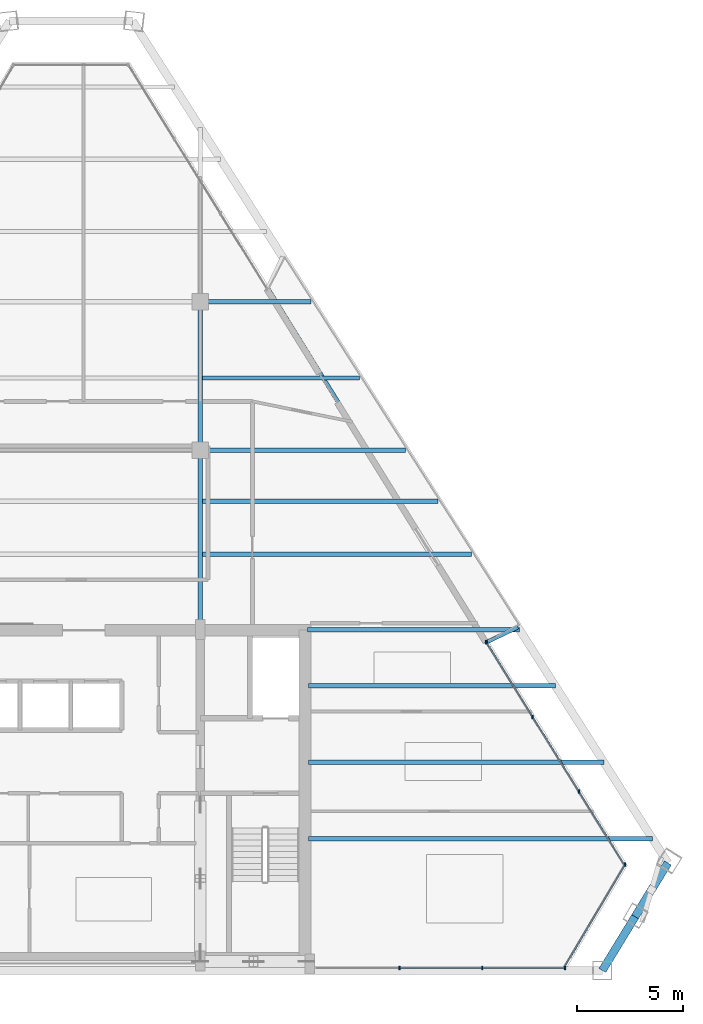
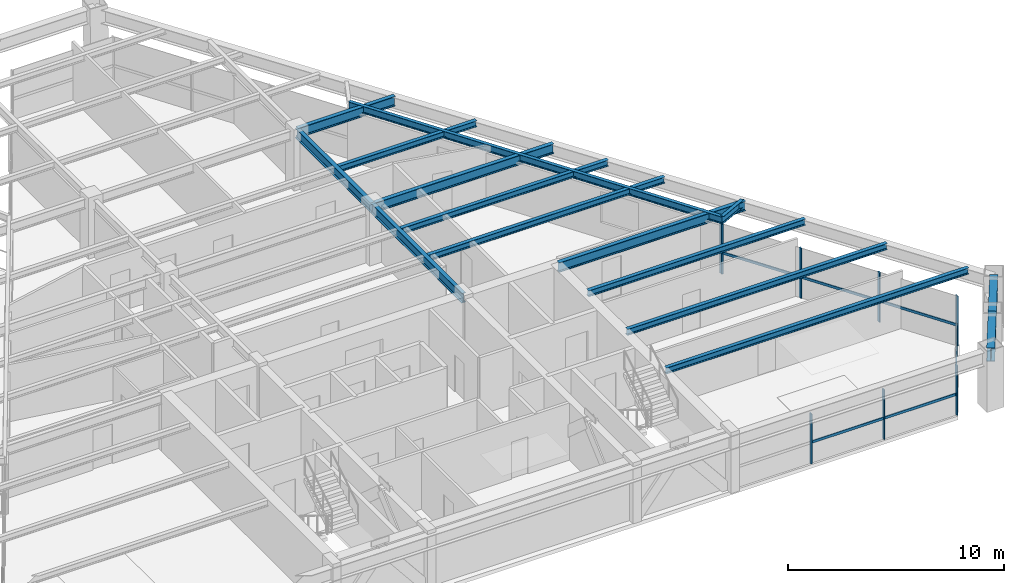
# One storey, part 4 of 12: 15 beams, 14 members, 3 elements without a shape of their own.
"""IFC4 building model written with IfcOpenShell, lengths in metres."""

from ifc_helpers import new_model, si_unit, direction, frame, origin, origin_2d, place, context, subcontext, project, spatial, rectangle, i_section, extrude, source, transform, mapped, material, material_profile, profile_set, type_object, type_shapes, element, aggregate, save


model = new_model("IFC4")

# Units and contexts
model_context = context("Model", 3, precision=1e-05, world=origin(), true_north=direction((0.0, 1.0)))
body_context = subcontext(model_context, "Body", "Model", "MODEL_VIEW")
ifc_project = project(units=[si_unit("LENGTHUNIT", "METRE"), si_unit("AREAUNIT", "SQUARE_METRE"), si_unit("VOLUMEUNIT", "CUBIC_METRE"), si_unit("PLANEANGLEUNIT", "RADIAN"), si_unit("MASSUNIT", "GRAM", prefix="KILO")], contexts=[model_context])

# Site, building, storey
site_placement = place(None, origin())
site = spatial("IfcSite", under=ifc_project, at=site_placement, CompositionType="ELEMENT")
building_placement = place(site_placement, origin())
building = spatial("IfcBuilding", under=site, at=building_placement, Name="Varnakhor Terracotta Tower", CompositionType="ELEMENT")
storey_placement = place(building_placement, frame((0.0, 0.0, 233.800048828125)))
storey = spatial("IfcBuildingStorey", under=building, at=storey_placement, Name="L60", CompositionType="ELEMENT", Elevation=233.800048828125)

# Beams
ifc_material_1 = material(Name="Steel S355", Category="steel")
ifc_material_profile_1 = material_profile(ifc_material_1, i_section(OverallWidth=0.214111328125, OverallDepth=0.549072265625, WebThickness=0.014892578125, FlangeThickness=0.02392578125, FilletRadius=0.01806640625, at=origin_2d()), Name="W21X93")
ifc_profile_set_1 = profile_set([ifc_material_profile_1], Name="Steel S355")
beam_type_1 = type_object("IfcBeamType", Name="BM-W21X93", PredefinedType="BEAM", material=ifc_profile_set_1)
shared_shape_1 = source(origin(), body_context, "Body", "SweptSolid", [
    extrude(i_section(OverallWidth=0.214111328125, OverallDepth=0.549072265625, WebThickness=0.014892578125, FlangeThickness=0.02392578125, FilletRadius=0.01806640625, at=origin_2d()), origin(), (0.0, 0.0, 1.0), 8.449951171875),
])
type_shapes(beam_type_1, [shared_shape_1])
beam_1_placement = place(storey_placement, frame((5.5, 16.050048828125, 2.96533203125), z_axis=(0.0, 1.0, 0.0), x_axis=(-1.0, 0.0, 0.0)))
element("IfcBeam", 1, at=beam_1_placement, inside=storey, type_object=beam_type_1, Name="L60 Primary Girder NS1-E", PredefinedType="BEAM", context=body_context, shape_type="MappedRepresentation", body=[
    mapped(shared_shape_1, transform((0.0, 0.0, 0.0), scale=1.0)),
])
shared_shape_2 = source(origin(), body_context, "Body", "SweptSolid", [
    extrude(i_section(OverallWidth=0.214111328125, OverallDepth=0.549072265625, WebThickness=0.014892578125, FlangeThickness=0.02392578125, FilletRadius=0.01806640625, at=origin_2d()), origin(), (0.0, 0.0, 1.0), 7.0),
])
beam_2_placement = place(storey_placement, frame((5.5, 24.5, 2.96533203125), z_axis=(0.0, 1.0, 0.0), x_axis=(-1.0, 0.0, 0.0)))
element("IfcBeam", 2, at=beam_2_placement, inside=storey, type_object=beam_type_1, Name="L60 Primary Girder NS2-E", PredefinedType="BEAM", context=body_context, shape_type="MappedRepresentation", body=[
    mapped(shared_shape_2, transform((0.0, 0.0, 0.0), scale=1.0)),
])
ifc_material_profile_2 = material_profile(ifc_material_1, i_section(OverallWidth=0.381103515625, OverallDepth=0.77294921875, WebThickness=0.01708984375, FlangeThickness=0.027099609375, FilletRadius=0.01806640625, at=origin_2d()), Name="W30X173")
ifc_profile_set_2 = profile_set([ifc_material_profile_2], Name="Steel S355")
beam_type_2 = type_object("IfcBeamType", Name="BM-W30X173", PredefinedType="BEAM", material=ifc_profile_set_2)
shared_shape_3 = source(origin(), body_context, "Body", "SweptSolid", [
    extrude(i_section(OverallWidth=0.381103515625, OverallDepth=0.77294921875, WebThickness=0.01708984375, FlangeThickness=0.027099609375, FilletRadius=0.01806640625, at=origin_2d()), origin(), (0.0, 0.0, 1.0), 2.96484375),
])
beam_3_placement = place(storey_placement, frame((24.430419921875, 0.0, 2.853515625), z_axis=(0.520573750987, 0.853816707369, 0.0), x_axis=(-0.853816707369, 0.520573750987, 0.0)))
element("IfcBeam", 3, at=beam_3_placement, inside=storey, type_object=beam_type_2, Name="L60 Perimeter Spandrel 2", PredefinedType="BEAM", context=body_context, shape_type="MappedRepresentation", body=[
    mapped(shared_shape_3, transform((0.0, 0.0, 0.0), scale=1.0)),
])
shared_shape_4 = source(origin(), body_context, "Body", "SweptSolid", [
    extrude(i_section(OverallWidth=0.381103515625, OverallDepth=0.77294921875, WebThickness=0.01708984375, FlangeThickness=0.027099609375, FilletRadius=0.01806640625, at=origin_2d()), origin(), (0.0, 0.0, 1.0), 2.965087890625),
])
beam_4_placement = place(storey_placement, frame((25.973876953125, 2.531494140625, 2.853515625), z_axis=(0.520537153621, 0.853839019781, 0.0), x_axis=(-0.853839019781, 0.520537153621, 0.0)))
element("IfcBeam", 4, at=beam_4_placement, inside=storey, type_object=beam_type_2, Name="L60 Perimeter Spandrel 3", PredefinedType="BEAM", context=body_context, shape_type="MappedRepresentation", body=[
    mapped(shared_shape_4, transform((0.0, 0.0, 0.0), scale=1.0)),
])
ifc_material_profile_3 = material_profile(ifc_material_1, i_section(OverallWidth=0.179931640625, OverallDepth=0.39990234375, WebThickness=0.008544921875, FlangeThickness=0.013427734375, FilletRadius=0.01806640625, at=origin_2d()), Name="IPE400")
ifc_profile_set_3 = profile_set([ifc_material_profile_3], Name="Steel S355")
beam_type_3 = type_object("IfcBeamType", Name="JST-IPE400", PredefinedType="JOIST", material=ifc_profile_set_3)
shared_shape_5 = source(origin(), body_context, "Body", "SweptSolid", [
    extrude(i_section(OverallWidth=0.179931640625, OverallDepth=0.39990234375, WebThickness=0.008544921875, FlangeThickness=0.013427734375, FilletRadius=0.01806640625, at=origin_2d()), origin(), (0.0, 0.0, 1.0), 19.6162109375),
])
beam_5_placement = place(storey_placement, frame((18.97900390625, 15.46044921875, 3.0400390625), z_axis=(-0.52585107611, 0.850576654837, 0.0), x_axis=(-0.850576654837, -0.52585107611, 0.0)))
element("IfcBeam", 5, at=beam_5_placement, inside=storey, type_object=beam_type_3, Name="L60 Loggia Edge Beam 1", PredefinedType="JOIST", context=body_context, shape_type="MappedRepresentation", body=[
    mapped(shared_shape_5, transform((0.0, 0.0, 0.0), scale=1.0)),
])
shared_shape_6 = source(origin(), body_context, "Body", "SweptSolid", [
    extrude(i_section(OverallWidth=0.214111328125, OverallDepth=0.549072265625, WebThickness=0.014892578125, FlangeThickness=0.02392578125, FilletRadius=0.01806640625, at=origin_2d()), origin(), (0.0, 0.0, 1.0), 9.981201171875),
])
beam_6_placement = place(storey_placement, frame((10.550048828125, 16.050048828125, 2.96533203125), z_axis=(1.0, 0.0, 0.0), x_axis=(0.0, 1.0, 0.0)))
element("IfcBeam", 6, at=beam_6_placement, inside=storey, type_object=beam_type_1, Name="L60 Wing Girder E", PredefinedType="BEAM", context=body_context, shape_type="MappedRepresentation", body=[
    mapped(shared_shape_6, transform((0.0, 0.0, 0.0), scale=1.0)),
])
shared_shape_7 = source(origin(), body_context, "Body", "SweptSolid", [
    extrude(i_section(OverallWidth=0.214111328125, OverallDepth=0.549072265625, WebThickness=0.014892578125, FlangeThickness=0.02392578125, FilletRadius=0.01806640625, at=origin_2d()), origin(), (0.0, 0.0, 1.0), 9.658203125),
])
beam_7_placement = place(storey_placement, frame((5.5, 24.5, 2.96533203125), z_axis=(1.0, 0.0, 0.0), x_axis=(0.0, 1.0, 0.0)))
element("IfcBeam", 7, at=beam_7_placement, inside=storey, type_object=beam_type_1, Name="L60 Primary Girder EW2-3", PredefinedType="BEAM", context=body_context, shape_type="MappedRepresentation", body=[
    mapped(shared_shape_7, transform((0.0, 0.0, 0.0), scale=1.0)),
])
shared_shape_8 = source(origin(), body_context, "Body", "SweptSolid", [
    extrude(i_section(OverallWidth=0.214111328125, OverallDepth=0.549072265625, WebThickness=0.014892578125, FlangeThickness=0.02392578125, FilletRadius=0.01806640625, at=origin_2d()), origin(), (0.0, 0.0, 1.0), 5.206787109375),
])
beam_8_placement = place(storey_placement, frame((5.5, 31.5, 2.96533203125), z_axis=(1.0, 0.0, 0.0), x_axis=(0.0, 1.0, 0.0)))
element("IfcBeam", 8, at=beam_8_placement, inside=storey, type_object=beam_type_1, Name="L60 Primary Girder EW3-3", PredefinedType="BEAM", context=body_context, shape_type="MappedRepresentation", body=[
    mapped(shared_shape_8, transform((0.0, 0.0, 0.0), scale=1.0)),
])
ifc_material_profile_4 = material_profile(ifc_material_1, i_section(OverallWidth=0.202880859375, OverallDepth=0.346923828125, WebThickness=0.0078125, FlangeThickness=0.013427734375, FilletRadius=0.01806640625, at=origin_2d()), Name="W14X43")
ifc_profile_set_4 = profile_set([ifc_material_profile_4], Name="Steel S355")
beam_type_4 = type_object("IfcBeamType", Name="JST-W14X43", PredefinedType="JOIST", material=ifc_profile_set_4)
shared_shape_9 = source(origin(), body_context, "Body", "SweptSolid", [
    extrude(i_section(OverallWidth=0.202880859375, OverallDepth=0.346923828125, WebThickness=0.0078125, FlangeThickness=0.013427734375, FilletRadius=0.01806640625, at=origin_2d()), origin(), (0.0, 0.0, 1.0), 16.194580078125),
])
beam_9_placement = place(storey_placement, frame((10.60009765625, 6.199951171875, 3.06640625), z_axis=(1.0, 0.0, 0.0), x_axis=(0.0, 1.0, 0.0)))
element("IfcBeam", 9, at=beam_9_placement, inside=storey, type_object=beam_type_4, Name="L60 Floor Joist E1", PredefinedType="JOIST", context=body_context, shape_type="MappedRepresentation", body=[
    mapped(shared_shape_9, transform((0.0, 0.0, 0.0), scale=1.0)),
])
shared_shape_10 = source(origin(), body_context, "Body", "SweptSolid", [
    extrude(i_section(OverallWidth=0.202880859375, OverallDepth=0.346923828125, WebThickness=0.0078125, FlangeThickness=0.013427734375, FilletRadius=0.01806640625, at=origin_2d()), origin(), (0.0, 0.0, 1.0), 13.9052734375),
])
beam_10_placement = place(storey_placement, frame((10.60009765625, 9.800048828125, 3.06640625), z_axis=(1.0, 0.0, 0.0), x_axis=(0.0, 1.0, 0.0)))
element("IfcBeam", 10, at=beam_10_placement, inside=storey, type_object=beam_type_4, Name="L60 Floor Joist E2", PredefinedType="JOIST", context=body_context, shape_type="MappedRepresentation", body=[
    mapped(shared_shape_10, transform((0.0, 0.0, 0.0), scale=1.0)),
])
shared_shape_11 = source(origin(), body_context, "Body", "SweptSolid", [
    extrude(i_section(OverallWidth=0.202880859375, OverallDepth=0.346923828125, WebThickness=0.0078125, FlangeThickness=0.013427734375, FilletRadius=0.01806640625, at=origin_2d()), origin(), (0.0, 0.0, 1.0), 11.6162109375),
])
beam_11_placement = place(storey_placement, frame((10.60009765625, 13.39990234375, 3.06640625), z_axis=(1.0, 0.0, 0.0), x_axis=(0.0, 1.0, 0.0)))
element("IfcBeam", 11, at=beam_11_placement, inside=storey, type_object=beam_type_4, Name="L60 Floor Joist E3", PredefinedType="JOIST", context=body_context, shape_type="MappedRepresentation", body=[
    mapped(shared_shape_11, transform((0.0, 0.0, 0.0), scale=1.0)),
])
shared_shape_12 = source(origin(), body_context, "Body", "SweptSolid", [
    extrude(i_section(OverallWidth=0.202880859375, OverallDepth=0.346923828125, WebThickness=0.0078125, FlangeThickness=0.013427734375, FilletRadius=0.01806640625, at=origin_2d()), origin(), (0.0, 0.0, 1.0), 12.6708984375),
])
beam_12_placement = place(storey_placement, frame((5.60302734375, 19.60009765625, 3.06640625), z_axis=(1.0, 0.0, 0.0), x_axis=(0.0, 1.0, 0.0)))
element("IfcBeam", 12, at=beam_12_placement, inside=storey, type_object=beam_type_4, Name="L60 Composite Floor Joist 4-3", PredefinedType="JOIST", context=body_context, shape_type="MappedRepresentation", body=[
    mapped(shared_shape_12, transform((0.0, 0.0, 0.0), scale=1.0)),
])
shared_shape_13 = source(origin(), body_context, "Body", "SweptSolid", [
    extrude(i_section(OverallWidth=0.202880859375, OverallDepth=0.346923828125, WebThickness=0.0078125, FlangeThickness=0.013427734375, FilletRadius=0.01806640625, at=origin_2d()), origin(), (0.0, 0.0, 1.0), 11.0810546875),
])
beam_13_placement = place(storey_placement, frame((5.60302734375, 22.10009765625, 3.06640625), z_axis=(1.0, 0.0, 0.0), x_axis=(0.0, 1.0, 0.0)))
element("IfcBeam", 13, at=beam_13_placement, inside=storey, type_object=beam_type_4, Name="L60 Composite Floor Joist 5-3", PredefinedType="JOIST", context=body_context, shape_type="MappedRepresentation", body=[
    mapped(shared_shape_13, transform((0.0, 0.0, 0.0), scale=1.0)),
])
shared_shape_14 = source(origin(), body_context, "Body", "SweptSolid", [
    extrude(i_section(OverallWidth=0.202880859375, OverallDepth=0.346923828125, WebThickness=0.0078125, FlangeThickness=0.013427734375, FilletRadius=0.01806640625, at=origin_2d()), origin(), (0.0, 0.0, 1.0), 7.39306640625),
])
beam_14_placement = place(storey_placement, frame((5.60302734375, 27.89990234375, 3.06640625), z_axis=(1.0, 0.0, 0.0), x_axis=(0.0, 1.0, 0.0)))
element("IfcBeam", 14, at=beam_14_placement, inside=storey, type_object=beam_type_4, Name="L60 Composite Floor Joist 6-3", PredefinedType="JOIST", context=body_context, shape_type="MappedRepresentation", body=[
    mapped(shared_shape_14, transform((0.0, 0.0, 0.0), scale=1.0)),
])
shared_shape_15 = source(origin(), body_context, "Body", "SweptSolid", [
    extrude(i_section(OverallWidth=0.179931640625, OverallDepth=0.39990234375, WebThickness=0.008544921875, FlangeThickness=0.013427734375, FilletRadius=0.01806640625, at=origin_2d()), origin(), (0.0, 0.0, 1.0), 1.63818359375),
])
beam_15_placement = place(storey_placement, frame((18.97900390625, 15.46044921875, 3.0400390625), z_axis=(0.902932125624, 0.42978317384, 0.0), x_axis=(-0.42978317384, 0.902932125624, 0.0)))
element("IfcBeam", 15, at=beam_15_placement, inside=storey, type_object=beam_type_3, Name="L61 E Loggia Tie Beam 2", PredefinedType="JOIST", context=body_context, shape_type="MappedRepresentation", body=[
    mapped(shared_shape_15, transform((0.0, 0.0, 0.0), scale=1.0)),
])

# Curtain wall, members
ifc_material_2 = material(Name="Anodised Aluminium Curtain Wall System", Category="aluminium")
curtain_wall_type = type_object("IfcCurtainWallType", Name="CW-SYS-HOTEL-LOGGIA", PredefinedType="NOTDEFINED", material=ifc_material_2)
curtain_wall_1_placement = place(storey_placement, origin())
curtain_wall_1 = element("IfcCurtainWall", 16, at=curtain_wall_1_placement, inside=storey, type_object=curtain_wall_type, Name="L60 E Facet Curtain Wall 2", PredefinedType="NOTDEFINED")
ifc_material_3 = material(Name="Anodised Aluminium 6063-T6", Category="aluminium")
ifc_material_profile_5 = material_profile(ifc_material_3, rectangle(XDim=0.06494140625, YDim=0.159912109375, at=origin_2d()), Name="ALU MULLION 65x160")
ifc_profile_set_5 = profile_set([ifc_material_profile_5], Name="Anodised Aluminium 6063-T6")
member_type_1 = type_object("IfcMemberType", Name="CWM-04", PredefinedType="MULLION", material=ifc_profile_set_5)
shared_shape_16 = source(origin(), body_context, "Body", "SweptSolid", [
    extrude(rectangle(XDim=0.06494140625, YDim=0.159912109375, at=origin_2d()), origin(), (0.0, 0.0, 1.0), 2.820068359375),
])
type_shapes(member_type_1, [shared_shape_16])
member_1_placement = place(storey_placement, frame((18.969970703125, 15.448974609375, 0.0), z_axis=(0.0, 0.0, 1.0), x_axis=(1.0, 0.0, 0.0)))
member_1 = element("IfcMember", 17, at=member_1_placement, type_object=member_type_1, Name="L60 E Facet Curtain Wall 2 Mullion 1", PredefinedType="MULLION", context=body_context, shape_type="MappedRepresentation", body=[
    mapped(shared_shape_16, transform((0.0, 0.0, 0.0), scale=1.0)),
])
member_2_placement = place(storey_placement, frame((21.14697265625, 11.937255859375, 0.0), z_axis=(0.0, 0.0, 1.0), x_axis=(1.0, 0.0, 0.0)))
member_2 = element("IfcMember", 18, at=member_2_placement, type_object=member_type_1, Name="L60 E Facet Curtain Wall 2 Mullion 2", PredefinedType="MULLION", context=body_context, shape_type="MappedRepresentation", body=[
    mapped(shared_shape_16, transform((0.0, 0.0, 0.0), scale=1.0)),
])
member_3_placement = place(storey_placement, frame((23.323974609375, 8.42578125, 0.0), z_axis=(0.0, 0.0, 1.0), x_axis=(1.0, 0.0, 0.0)))
member_3 = element("IfcMember", 19, at=member_3_placement, type_object=member_type_1, Name="L60 E Facet Curtain Wall 2 Mullion 3", PredefinedType="MULLION", context=body_context, shape_type="MappedRepresentation", body=[
    mapped(shared_shape_16, transform((0.0, 0.0, 0.0), scale=1.0)),
])
member_4_placement = place(storey_placement, frame((18.937255859375, 15.4638671875, 0.0), z_axis=(0.0, 0.0, 1.0), x_axis=(1.0, 0.0, 0.0)))
member_4 = element("IfcMember", 20, at=member_4_placement, type_object=member_type_1, Name="L60 E Loggia Jamb Closure Mullion 2", PredefinedType="MULLION", context=body_context, shape_type="MappedRepresentation", body=[
    mapped(shared_shape_16, transform((0.0, 0.0, 0.0), scale=1.0)),
])

# Curtain wall, member
curtain_wall_2_placement = place(storey_placement, origin())
curtain_wall_2 = element("IfcCurtainWall", 21, at=curtain_wall_2_placement, inside=storey, type_object=curtain_wall_type, Name="L60 Facet Curtain Wall 4", PredefinedType="NOTDEFINED")
member_5_placement = place(storey_placement, frame((25.500244140625, 4.9873046875, 0.0), z_axis=(0.0, 0.0, 1.0), x_axis=(1.0, 0.0, 0.0)))
member_5 = element("IfcMember", 22, at=member_5_placement, type_object=member_type_1, Name="L60 Facet Curtain Wall 4 Mullion 1", PredefinedType="MULLION", context=body_context, shape_type="MappedRepresentation", body=[
    mapped(shared_shape_16, transform((0.0, 0.0, 0.0), scale=1.0)),
])

# Curtain wall, members
curtain_wall_3_placement = place(storey_placement, origin())
curtain_wall_3 = element("IfcCurtainWall", 23, at=curtain_wall_3_placement, inside=storey, type_object=curtain_wall_type, Name="L60 South Wing Curtain Wall SSE", PredefinedType="NOTDEFINED")
member_6_placement = place(storey_placement, frame((22.6748046875, 0.1201171875, 0.0), z_axis=(0.0, 0.0, 1.0), x_axis=(1.0, 0.0, 0.0)))
member_6 = element("IfcMember", 24, at=member_6_placement, type_object=member_type_1, Name="L60 South Wing Curtain Wall SSE Mullion 1", PredefinedType="MULLION", context=body_context, shape_type="MappedRepresentation", body=[
    mapped(shared_shape_16, transform((0.0, 0.0, 0.0), scale=1.0)),
])
member_7_placement = place(storey_placement, frame((18.773193359375, 0.1201171875, 0.0), z_axis=(0.0, 0.0, 1.0), x_axis=(1.0, 0.0, 0.0)))
member_7 = element("IfcMember", 25, at=member_7_placement, type_object=member_type_1, Name="L60 South Wing Curtain Wall SSE Mullion 2", PredefinedType="MULLION", context=body_context, shape_type="MappedRepresentation", body=[
    mapped(shared_shape_16, transform((0.0, 0.0, 0.0), scale=1.0)),
])
member_8_placement = place(storey_placement, frame((14.87158203125, 0.1201171875, 0.0), z_axis=(0.0, 0.0, 1.0), x_axis=(1.0, 0.0, 0.0)))
member_8 = element("IfcMember", 26, at=member_8_placement, type_object=member_type_1, Name="L60 South Wing Curtain Wall SSE Mullion 3", PredefinedType="MULLION", context=body_context, shape_type="MappedRepresentation", body=[
    mapped(shared_shape_16, transform((0.0, 0.0, 0.0), scale=1.0)),
])
ifc_material_profile_6 = material_profile(ifc_material_3, rectangle(XDim=0.06494140625, YDim=0.14501953125, at=origin_2d()), Name="ALU TRANSOM 65x145")
ifc_profile_set_6 = profile_set([ifc_material_profile_6], Name="Anodised Aluminium 6063-T6")
member_type_2 = type_object("IfcMemberType", Name="CWT-04", PredefinedType="USERDEFINED", material=ifc_profile_set_6)
shared_shape_17 = source(origin(), body_context, "Body", "SweptSolid", [
    extrude(rectangle(XDim=0.06494140625, YDim=0.14501953125, at=origin_2d()), origin(), (0.0, 0.0, 1.0), 3.901611328125),
])
member_9_placement = place(storey_placement, frame((22.6748046875, 0.1201171875, 1.184326171875), z_axis=(-1.0, 0.0, 0.0), x_axis=(0.0, -1.0, 0.0)))
member_9 = element("IfcMember", 27, at=member_9_placement, type_object=member_type_2, Name="L60 South Wing Curtain Wall SSE Transom 1", ObjectType="TRANSOM", PredefinedType="USERDEFINED", context=body_context, shape_type="MappedRepresentation", body=[
    mapped(shared_shape_17, transform((0.0, 0.0, 0.0), scale=1.0)),
])
member_10_placement = place(storey_placement, frame((18.773193359375, 0.1201171875, 1.184326171875), z_axis=(-1.0, 0.0, 0.0), x_axis=(0.0, -1.0, 0.0)))
member_10 = element("IfcMember", 28, at=member_10_placement, type_object=member_type_2, Name="L60 South Wing Curtain Wall SSE Transom 2", ObjectType="TRANSOM", PredefinedType="USERDEFINED", context=body_context, shape_type="MappedRepresentation", body=[
    mapped(shared_shape_17, transform((0.0, 0.0, 0.0), scale=1.0)),
])
aggregate(curtain_wall_3, [member_6, member_9, member_7, member_10, member_8])

# Member
shared_shape_18 = source(origin(), body_context, "Body", "SweptSolid", [
    extrude(rectangle(XDim=0.06494140625, YDim=0.14501953125, at=origin_2d()), origin(), (0.0, 0.0, 1.0), 4.131591796875),
])
member_11_placement = place(storey_placement, frame((21.14697265625, 11.937255859375, 1.184326171875), z_axis=(0.526920034115, -0.849914864941, 0.0), x_axis=(0.849914864941, 0.526920034115, 0.0)))
member_11 = element("IfcMember", 29, at=member_11_placement, type_object=member_type_2, Name="L60 E Facet Curtain Wall 2 Transom 2", ObjectType="TRANSOM", PredefinedType="USERDEFINED", context=body_context, shape_type="MappedRepresentation", body=[
    mapped(shared_shape_18, transform((0.0, 0.0, 0.0), scale=1.0)),
])

member_12_placement = place(storey_placement, frame((23.323974609375, 8.42578125, 1.184326171875), z_axis=(0.526920034115, -0.849914864941, 0.0), x_axis=(0.849914864941, 0.526920034115, 0.0)))
member_12 = element("IfcMember", 30, at=member_12_placement, type_object=member_type_2, Name="L60 E Facet Curtain Wall 2 Transom 3", ObjectType="TRANSOM", PredefinedType="USERDEFINED", context=body_context, shape_type="MappedRepresentation", body=[
    mapped(shared_shape_18, transform((0.0, 0.0, 0.0), scale=1.0)),
])

shared_shape_19 = source(origin(), body_context, "Body", "SweptSolid", [
    extrude(rectangle(XDim=0.06494140625, YDim=0.14501953125, at=origin_2d()), origin(), (0.0, 0.0, 1.0), 4.1318359375),
])
member_13_placement = place(storey_placement, frame((18.969970703125, 15.448974609375, 1.184326171875), z_axis=(0.526893571762, -0.849931270184, 0.0), x_axis=(0.849931270184, 0.526893571762, 0.0)))
member_13 = element("IfcMember", 31, at=member_13_placement, type_object=member_type_2, Name="L60 E Facet Curtain Wall 2 Transom 1", ObjectType="TRANSOM", PredefinedType="USERDEFINED", context=body_context, shape_type="MappedRepresentation", body=[
    mapped(shared_shape_19, transform((0.0, 0.0, 0.0), scale=1.0)),
])

aggregate(curtain_wall_1, [member_1, member_13, member_2, member_11, member_3, member_12, member_4])

shared_shape_20 = source(origin(), body_context, "Body", "SweptSolid", [
    extrude(rectangle(XDim=0.06494140625, YDim=0.14501953125, at=origin_2d()), origin(), (0.0, 0.0, 1.0), 5.69580078125),
])
member_14_placement = place(storey_placement, frame((25.500244140625, 4.9873046875, 1.184326171875), z_axis=(-0.509722493886, -0.860338874646, 0.0), x_axis=(0.860338874646, -0.509722493886, 0.0)))
member_14 = element("IfcMember", 32, at=member_14_placement, type_object=member_type_2, Name="L60 Facet Curtain Wall 4 Transom 1", ObjectType="TRANSOM", PredefinedType="USERDEFINED", context=body_context, shape_type="MappedRepresentation", body=[
    mapped(shared_shape_20, transform((0.0, 0.0, 0.0), scale=1.0)),
])

aggregate(curtain_wall_2, [member_5, member_14])

save(model, "model.ifc")
